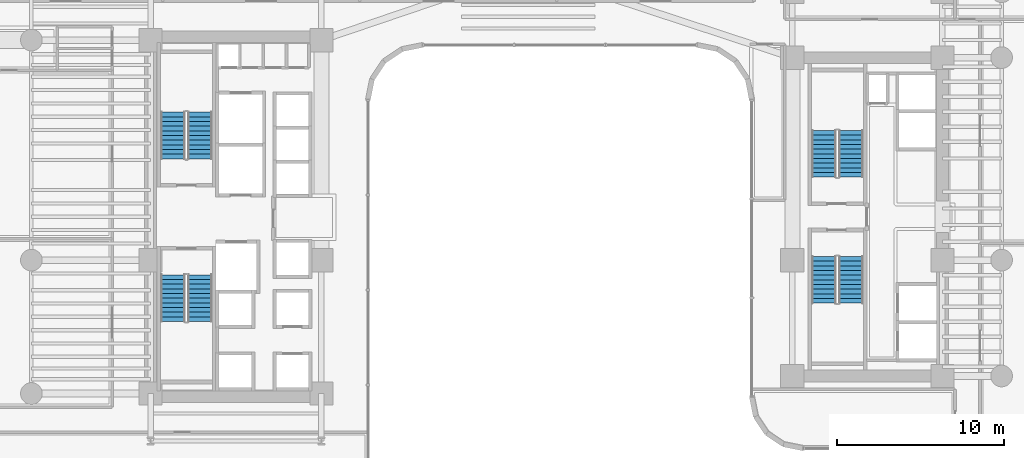
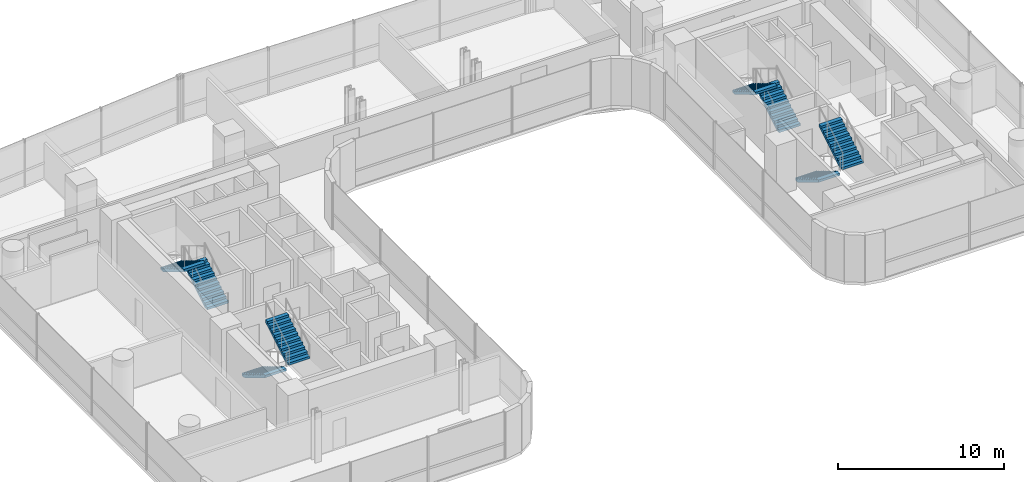
# One storey, part 36 of 40: 8 stair flights, 4 elements without a shape of their own.
"""IFC4 building model written with IfcOpenShell, lengths in metres."""

import ifcopenshell
import ifcopenshell.guid

model = None  # the IFC model being written
_history = None  # IfcOwnerHistory: only IFC2X3 demands one
_inside = {}  # id of a spatial element -> (the spatial element, [elements in it])
_under = {}  # id of a project, library or spatial element -> (it, [spatial elements below it])
_declared = {}  # id of a project -> (the project, [libraries it declares])
_typed = {}  # id of a type object -> (the type object, [elements of that type])
_made_of = {}  # id of a material, layer set ... -> (it, [elements and type objects made of it])


def new_model(schema):
    """Start an empty IFC model of exactly this schema.

    Asked for "IFC4X3", IfcOpenShell would pick the latest addendum, in which some entities
    have other attributes; the version numbers below select the first issue.
    IFC2X3 requires an IfcOwnerHistory on every rooted entity: one is made here for all.
    """
    global model, _history
    if schema == "IFC4X3":
        model = ifcopenshell.file(schema_version=(4, 3, 0, 0))
    else:
        model = ifcopenshell.file(schema=schema)
    _inside.clear()
    _under.clear()
    _declared.clear()
    _typed.clear()
    _made_of.clear()
    _history = None
    if model.schema == "IFC2X3":
        org = make("IfcOrganization", Name="unknown")
        user = make(
            "IfcPersonAndOrganization",
            ThePerson=make("IfcPerson", FamilyName="unknown"),
            TheOrganization=org,
        )
        app = make(
            "IfcApplication",
            ApplicationDeveloper=org,
            Version="unknown",
            ApplicationFullName="unknown",
            ApplicationIdentifier="unknown",
        )
        _history = make(
            "IfcOwnerHistory",
            OwningUser=user,
            OwningApplication=app,
            ChangeAction="ADDED",
            CreationDate=0,
        )
    return model


def make(cls, **values):
    """One entity of the class cls with the attributes given. An attribute that is None is left unset."""
    return model.create_entity(
        cls, **{name: value for name, value in values.items() if value is not None}
    )


def rooted(cls, **values):
    """An entity with a GlobalId (a new one), such as an element, a storey or a relation."""
    return make(cls, GlobalId=ifcopenshell.guid.new(), OwnerHistory=_history, **values)


def si_unit(unit_type, name, prefix=None):
    """IfcSIUnit, for example si_unit("LENGTHUNIT", "METRE", prefix="MILLI")."""
    return make("IfcSIUnit", UnitType=unit_type, Prefix=prefix, Name=name)


def assignment(units):
    """IfcUnitAssignment: the units of a project."""
    return None if units is None else make("IfcUnitAssignment", Units=units)


def point(xyz):
    """IfcCartesianPoint."""
    return None if xyz is None else make("IfcCartesianPoint", Coordinates=xyz)


def direction(xyz):
    """IfcDirection."""
    return None if xyz is None else make("IfcDirection", DirectionRatios=xyz)


def frame(location, z_axis=None, x_axis=None):
    """IfcAxis2Placement3D, a coordinate frame: its origin and axes. An axis left out is left unset."""
    return make(
        "IfcAxis2Placement3D",
        Location=point(location),
        Axis=direction(z_axis),
        RefDirection=direction(x_axis),
    )


def origin():
    """The frame at (0, 0, 0) with its axes left unset."""
    return frame((0.0, 0.0, 0.0))


def place(relative_to, where):
    """IfcLocalPlacement: puts the frame where relative to a parent placement (None: the world)."""
    return make(
        "IfcLocalPlacement", PlacementRelTo=relative_to, RelativePlacement=where
    )


def context(
    kind, dimensions, precision=None, world=None, true_north=None, identifier=None
):
    """IfcGeometricRepresentationContext, for example the 3D "Model" context."""
    return make(
        "IfcGeometricRepresentationContext",
        ContextIdentifier=identifier,
        ContextType=kind,
        CoordinateSpaceDimension=dimensions,
        Precision=precision,
        WorldCoordinateSystem=world,
        TrueNorth=true_north,
    )


def subcontext(parent, identifier, kind, view, scale=None):
    """IfcGeometricRepresentationSubContext, for example "Body" below "Model"."""
    return make(
        "IfcGeometricRepresentationSubContext",
        ContextIdentifier=identifier,
        ContextType=kind,
        ParentContext=parent,
        TargetScale=scale,
        TargetView=view,
    )


def project(units=None, contexts=None):
    """IfcProject with its units and contexts."""
    return rooted(
        "IfcProject",
        Name="project",
        RepresentationContexts=contexts,
        UnitsInContext=assignment(units),
    )


def spatial(cls, under=None, at=None, **own):
    """A site, building, storey or space (cls), placed at a placement, below another one or the project."""
    s = rooted(cls, ObjectPlacement=at, **own)
    if under is not None:
        _under.setdefault(under.id(), (under, []))[1].append(s)
    return s


def polyline(points):
    """IfcPolyline through the points."""
    return make("IfcPolyline", Points=[point(p) for p in points])


def outline(outer, holes=None, kind="AREA"):
    """IfcArbitraryClosedProfileDef: a profile drawn as a closed curve; with holes, ...WithVoids."""
    if holes is None:
        return make("IfcArbitraryClosedProfileDef", ProfileType=kind, OuterCurve=outer)
    return make(
        "IfcArbitraryProfileDefWithVoids",
        ProfileType=kind,
        OuterCurve=outer,
        InnerCurves=holes,
    )


def extrude(swept, where, along, depth):
    """IfcExtrudedAreaSolid: the profile swept, set in the frame where, extruded along a direction by depth."""
    return make(
        "IfcExtrudedAreaSolid",
        SweptArea=swept,
        Position=where,
        ExtrudedDirection=direction(along),
        Depth=depth,
    )


def shape(context_of_items, identifier, shape_type, items):
    """IfcShapeRepresentation: the items that make up one representation, for example the "Body"."""
    return make(
        "IfcShapeRepresentation",
        ContextOfItems=context_of_items,
        RepresentationIdentifier=identifier,
        RepresentationType=shape_type,
        Items=items,
    )


def material(Name=None, Category=None):
    """IfcMaterial."""
    return make("IfcMaterial", Name=Name, Category=Category)


def made_of(thing, what):
    """Note that an element or type object is made of a material, layer set ...; save() writes the relation."""
    if what is not None:
        _made_of.setdefault(what.id(), (what, []))[1].append(thing)
    return thing


def type_object(cls, material=None, **own):
    """A type object (cls), such as IfcWallType, which elements share."""
    return made_of(rooted(cls, **own), material)


def element(
    cls,
    number,
    at=None,
    inside=None,
    cuts=None,
    type_object=None,
    material=None,
    context=None,
    identifier="Body",
    shape_type=None,
    held_by="IfcProductDefinitionShape",
    body=None,
    shapes=None,
    **own,
):
    """One element of the class cls, such as IfcWall. Its Tag is "e" and its number.

    at: its placement. inside: the storey or other place that contains it. cuts: it is an
    opening in that element (IfcRelVoidsElement). A single representation is given by context,
    identifier, shape_type and body (its items); several are given by shapes. held_by: the class
    of the entity that holds the representations. save() writes the other relations.
    """
    e = rooted(cls, Tag="e%d" % number, ObjectPlacement=at, **own)
    if body is not None:
        shapes = [shape(context, identifier, shape_type, body)]
    if shapes is not None:
        e.Representation = make(held_by, Representations=shapes)
    if inside is not None:
        _inside.setdefault(inside.id(), (inside, []))[1].append(e)
    if cuts is not None:
        rooted(
            "IfcRelVoidsElement", RelatingBuildingElement=cuts, RelatedOpeningElement=e
        )
    if type_object is not None:
        _typed.setdefault(type_object.id(), (type_object, []))[1].append(e)
    return made_of(e, material)


def aggregate(whole, parts):
    """IfcRelAggregates: a whole, such as a stair, and the parts it consists of."""
    return rooted("IfcRelAggregates", RelatingObject=whole, RelatedObjects=parts)


def save(model, path):
    """Write the relations noted so far, then the file.

    IfcRelAggregates (storeys below a building ...), IfcRelContainedInSpatialStructure (elements
    in a storey), IfcRelDefinesByType, IfcRelAssociatesMaterial and IfcRelDeclares: one each for
    every whole, place, type object, material and project.
    """
    for whole, parts in _under.values():
        aggregate(whole, parts)
    for where, things in _inside.values():
        rooted(
            "IfcRelContainedInSpatialStructure",
            RelatedElements=things,
            RelatingStructure=where,
        )
    for kind, things in _typed.values():
        rooted("IfcRelDefinesByType", RelatedObjects=things, RelatingType=kind)
    for what, things in _made_of.values():
        rooted("IfcRelAssociatesMaterial", RelatedObjects=things, RelatingMaterial=what)
    for by, libraries in _declared.values():
        rooted("IfcRelDeclares", RelatingContext=by, RelatedDefinitions=libraries)
    model.write(path)


model = new_model("IFC4")

# Units and contexts
model_context = context("Model", 3, precision=1e-05, world=origin(), true_north=direction((0.0, 1.0)))
body_context = subcontext(model_context, "Body", "Model", "MODEL_VIEW")
ifc_project = project(units=[si_unit("LENGTHUNIT", "METRE"), si_unit("AREAUNIT", "SQUARE_METRE"), si_unit("VOLUMEUNIT", "CUBIC_METRE"), si_unit("PLANEANGLEUNIT", "RADIAN"), si_unit("MASSUNIT", "GRAM", prefix="KILO")], contexts=[model_context])

# Site, building, storey
site_placement = place(None, origin())
site = spatial("IfcSite", under=ifc_project, at=site_placement, CompositionType="ELEMENT")
building_placement = place(site_placement, origin())
building = spatial("IfcBuilding", under=site, at=building_placement, Name="Valdorenza Pilgrim Sanctuary Tower", CompositionType="ELEMENT")
storey_placement = place(building_placement, frame((0.0, 0.0, 48.199951171875)))
storey = spatial("IfcBuildingStorey", under=building, at=storey_placement, Name="L11", CompositionType="ELEMENT", Elevation=48.199951171875)

# Stair, stair flights
ifc_material = material(Name="Concrete C40/50", Category="concrete")
stair_type = type_object("IfcStairType", Name="STR-DOG-CORE", PredefinedType="HALF_TURN_STAIR", material=ifc_material)
stair_1_placement = place(storey_placement, origin())
stair_1 = element("IfcStair", 1, at=stair_1_placement, inside=storey, type_object=stair_type, Name="L11 ST-A1", PredefinedType="HALF_TURN_STAIR")
stair_flight_type = type_object("IfcStairFlightType", Name="STF-RC-1400", PredefinedType="STRAIGHT", material=ifc_material)
stair_flight_1_placement = place(storey_placement, frame((-19.679931640625, 3.47998046875, 0.0), z_axis=(0.0, 0.0, 1.0), x_axis=(0.0, 1.0, 0.0)))
stair_flight_1 = element("IfcStairFlight", 2, at=stair_flight_1_placement, type_object=stair_flight_type, Name="ST-A1 flight 1", NumberOfRisers=11, NumberOfTreads=10, PredefinedType="STRAIGHT", RiserHeight=0.168181818, TreadLength=0.28, context=body_context, shape_type="SweptSolid", body=[
    extrude(outline(polyline([(0.0, 0.0), (0.0, 0.168212890625), (0.280029296875, 0.168212890625), (0.280029296875, 0.33642578125), (0.56005859375, 0.33642578125), (0.56005859375, 0.504638671875), (0.840087890625, 0.504638671875), (0.840087890625, 0.672607421875), (1.1201171875, 0.672607421875), (1.1201171875, 0.8408203125), (1.39990234375, 0.8408203125), (1.39990234375, 1.009033203125), (1.679931640625, 1.009033203125), (1.679931640625, 1.17724609375), (1.9599609375, 1.17724609375), (1.9599609375, 1.345458984375), (2.239990234375, 1.345458984375), (2.239990234375, 1.513671875), (2.52001953125, 1.513671875), (2.52001953125, 1.681884765625), (2.800048828125, 1.681884765625), (2.800048828125, 1.85009765625), (2.800048828125, 1.5068359375), (0.291015625, 0.0), (0.0, 0.0)])), frame((0.0, 0.739990234375, 0.0), z_axis=(0.0, -1.0, 0.0), x_axis=(1.0, 0.0, 0.0)), (0.0, 0.0, 1.0), 1.47998046875),
])
stair_flight_2_placement = place(storey_placement, frame((-21.31005859375, 6.280029296875, 1.85009765625), z_axis=(0.0, 0.0, 1.0), x_axis=(0.0, -1.0, 0.0)))
stair_flight_2 = element("IfcStairFlight", 3, at=stair_flight_2_placement, type_object=stair_flight_type, Name="ST-A1 flight 2", NumberOfRisers=11, NumberOfTreads=10, PredefinedType="STRAIGHT", RiserHeight=0.168181818, TreadLength=0.28, context=body_context, shape_type="SweptSolid", body=[
    extrude(outline(polyline([(0.0, 0.0), (0.0, 0.168212890625), (0.280029296875, 0.168212890625), (0.280029296875, 0.33642578125), (0.56005859375, 0.33642578125), (0.56005859375, 0.504638671875), (0.840087890625, 0.504638671875), (0.840087890625, 0.672607421875), (1.1201171875, 0.672607421875), (1.1201171875, 0.8408203125), (1.39990234375, 0.8408203125), (1.39990234375, 1.009033203125), (1.679931640625, 1.009033203125), (1.679931640625, 1.17724609375), (1.9599609375, 1.17724609375), (1.9599609375, 1.345458984375), (2.239990234375, 1.345458984375), (2.239990234375, 1.513671875), (2.52001953125, 1.513671875), (2.52001953125, 1.681884765625), (2.800048828125, 1.681884765625), (2.800048828125, 1.85009765625), (2.800048828125, 1.5068359375), (0.291015625, 0.0), (0.0, 0.0)])), frame((0.0, 0.739990234375, 0.0), z_axis=(0.0, -1.0, 0.0), x_axis=(1.0, 0.0, 0.0)), (0.0, 0.0, 1.0), 1.47998046875),
])
aggregate(stair_1, [stair_flight_1, stair_flight_2])

stair_2_placement = place(storey_placement, origin())
stair_2 = element("IfcStair", 4, at=stair_2_placement, inside=storey, type_object=stair_type, Name="L11 ST-A2", PredefinedType="HALF_TURN_STAIR")
stair_flight_3_placement = place(storey_placement, frame((-21.31005859375, -3.47998046875, 0.0), z_axis=(0.0, 0.0, 1.0), x_axis=(0.0, -1.0, 0.0)))
stair_flight_3 = element("IfcStairFlight", 5, at=stair_flight_3_placement, type_object=stair_flight_type, Name="ST-A2 flight 1", NumberOfRisers=11, NumberOfTreads=10, PredefinedType="STRAIGHT", RiserHeight=0.168181818, TreadLength=0.28, context=body_context, shape_type="SweptSolid", body=[
    extrude(outline(polyline([(0.0, 0.0), (0.0, 0.168212890625), (0.280029296875, 0.168212890625), (0.280029296875, 0.33642578125), (0.56005859375, 0.33642578125), (0.56005859375, 0.504638671875), (0.840087890625, 0.504638671875), (0.840087890625, 0.672607421875), (1.1201171875, 0.672607421875), (1.1201171875, 0.8408203125), (1.39990234375, 0.8408203125), (1.39990234375, 1.009033203125), (1.679931640625, 1.009033203125), (1.679931640625, 1.17724609375), (1.9599609375, 1.17724609375), (1.9599609375, 1.345458984375), (2.239990234375, 1.345458984375), (2.239990234375, 1.513671875), (2.52001953125, 1.513671875), (2.52001953125, 1.681884765625), (2.800048828125, 1.681884765625), (2.800048828125, 1.85009765625), (2.800048828125, 1.5068359375), (0.291015625, 0.0), (0.0, 0.0)])), frame((0.0, 0.739990234375, 0.0), z_axis=(0.0, -1.0, 0.0), x_axis=(1.0, 0.0, 0.0)), (0.0, 0.0, 1.0), 1.47998046875),
])
stair_flight_4_placement = place(storey_placement, frame((-19.679931640625, -6.280029296875, 1.85009765625), z_axis=(0.0, 0.0, 1.0), x_axis=(0.0, 1.0, 0.0)))
stair_flight_4 = element("IfcStairFlight", 6, at=stair_flight_4_placement, type_object=stair_flight_type, Name="ST-A2 flight 2", NumberOfRisers=11, NumberOfTreads=10, PredefinedType="STRAIGHT", RiserHeight=0.168181818, TreadLength=0.28, context=body_context, shape_type="SweptSolid", body=[
    extrude(outline(polyline([(0.0, 0.0), (0.0, 0.168212890625), (0.280029296875, 0.168212890625), (0.280029296875, 0.33642578125), (0.56005859375, 0.33642578125), (0.56005859375, 0.504638671875), (0.840087890625, 0.504638671875), (0.840087890625, 0.672607421875), (1.1201171875, 0.672607421875), (1.1201171875, 0.8408203125), (1.39990234375, 0.8408203125), (1.39990234375, 1.009033203125), (1.679931640625, 1.009033203125), (1.679931640625, 1.17724609375), (1.9599609375, 1.17724609375), (1.9599609375, 1.345458984375), (2.239990234375, 1.345458984375), (2.239990234375, 1.513671875), (2.52001953125, 1.513671875), (2.52001953125, 1.681884765625), (2.800048828125, 1.681884765625), (2.800048828125, 1.85009765625), (2.800048828125, 1.5068359375), (0.291015625, 0.0), (0.0, 0.0)])), frame((0.0, 0.739990234375, 0.0), z_axis=(0.0, -1.0, 0.0), x_axis=(1.0, 0.0, 0.0)), (0.0, 0.0, 1.0), 1.47998046875),
])
aggregate(stair_2, [stair_flight_3, stair_flight_4])

stair_3_placement = place(storey_placement, origin())
stair_3 = element("IfcStair", 7, at=stair_3_placement, inside=storey, type_object=stair_type, Name="L11 ST-B1", PredefinedType="HALF_TURN_STAIR")
stair_flight_5_placement = place(storey_placement, frame((19.3701171875, 2.3798828125, 0.0), z_axis=(0.0, 0.0, 1.0), x_axis=(0.0, 1.0, 0.0)))
stair_flight_5 = element("IfcStairFlight", 8, at=stair_flight_5_placement, type_object=stair_flight_type, Name="ST-B1 flight 1", NumberOfRisers=11, NumberOfTreads=10, PredefinedType="STRAIGHT", RiserHeight=0.168181818, TreadLength=0.28, context=body_context, shape_type="SweptSolid", body=[
    extrude(outline(polyline([(0.0, 0.0), (0.0, 0.168212890625), (0.280029296875, 0.168212890625), (0.280029296875, 0.33642578125), (0.56005859375, 0.33642578125), (0.56005859375, 0.504638671875), (0.840087890625, 0.504638671875), (0.840087890625, 0.672607421875), (1.1201171875, 0.672607421875), (1.1201171875, 0.8408203125), (1.39990234375, 0.8408203125), (1.39990234375, 1.009033203125), (1.679931640625, 1.009033203125), (1.679931640625, 1.17724609375), (1.9599609375, 1.17724609375), (1.9599609375, 1.345458984375), (2.239990234375, 1.345458984375), (2.239990234375, 1.513671875), (2.52001953125, 1.513671875), (2.52001953125, 1.681884765625), (2.800048828125, 1.681884765625), (2.800048828125, 1.85009765625), (2.800048828125, 1.5068359375), (0.291015625, 0.0), (0.0, 0.0)])), frame((0.0, 0.739990234375, 0.0), z_axis=(0.0, -1.0, 0.0), x_axis=(1.0, 0.0, 0.0)), (0.0, 0.0, 1.0), 1.47998046875),
])
stair_flight_6_placement = place(storey_placement, frame((17.739990234375, 5.179931640625, 1.85009765625), z_axis=(0.0, 0.0, 1.0), x_axis=(0.0, -1.0, 0.0)))
stair_flight_6 = element("IfcStairFlight", 9, at=stair_flight_6_placement, type_object=stair_flight_type, Name="ST-B1 flight 2", NumberOfRisers=11, NumberOfTreads=10, PredefinedType="STRAIGHT", RiserHeight=0.168181818, TreadLength=0.28, context=body_context, shape_type="SweptSolid", body=[
    extrude(outline(polyline([(0.0, 0.0), (0.0, 0.168212890625), (0.280029296875, 0.168212890625), (0.280029296875, 0.33642578125), (0.56005859375, 0.33642578125), (0.56005859375, 0.504638671875), (0.840087890625, 0.504638671875), (0.840087890625, 0.672607421875), (1.1201171875, 0.672607421875), (1.1201171875, 0.8408203125), (1.39990234375, 0.8408203125), (1.39990234375, 1.009033203125), (1.679931640625, 1.009033203125), (1.679931640625, 1.17724609375), (1.9599609375, 1.17724609375), (1.9599609375, 1.345458984375), (2.239990234375, 1.345458984375), (2.239990234375, 1.513671875), (2.52001953125, 1.513671875), (2.52001953125, 1.681884765625), (2.800048828125, 1.681884765625), (2.800048828125, 1.85009765625), (2.800048828125, 1.5068359375), (0.291015625, 0.0), (0.0, 0.0)])), frame((0.0, 0.739990234375, 0.0), z_axis=(0.0, -1.0, 0.0), x_axis=(1.0, 0.0, 0.0)), (0.0, 0.0, 1.0), 1.47998046875),
])
aggregate(stair_3, [stair_flight_5, stair_flight_6])

stair_4_placement = place(storey_placement, origin())
stair_4 = element("IfcStair", 10, at=stair_4_placement, inside=storey, type_object=stair_type, Name="L11 ST-B2", PredefinedType="HALF_TURN_STAIR")
stair_flight_7_placement = place(storey_placement, frame((17.739990234375, -2.3798828125, 0.0), z_axis=(0.0, 0.0, 1.0), x_axis=(0.0, -1.0, 0.0)))
stair_flight_7 = element("IfcStairFlight", 11, at=stair_flight_7_placement, type_object=stair_flight_type, Name="ST-B2 flight 1", NumberOfRisers=11, NumberOfTreads=10, PredefinedType="STRAIGHT", RiserHeight=0.168181818, TreadLength=0.28, context=body_context, shape_type="SweptSolid", body=[
    extrude(outline(polyline([(0.0, 0.0), (0.0, 0.168212890625), (0.280029296875, 0.168212890625), (0.280029296875, 0.33642578125), (0.56005859375, 0.33642578125), (0.56005859375, 0.504638671875), (0.840087890625, 0.504638671875), (0.840087890625, 0.672607421875), (1.1201171875, 0.672607421875), (1.1201171875, 0.8408203125), (1.39990234375, 0.8408203125), (1.39990234375, 1.009033203125), (1.679931640625, 1.009033203125), (1.679931640625, 1.17724609375), (1.9599609375, 1.17724609375), (1.9599609375, 1.345458984375), (2.239990234375, 1.345458984375), (2.239990234375, 1.513671875), (2.52001953125, 1.513671875), (2.52001953125, 1.681884765625), (2.800048828125, 1.681884765625), (2.800048828125, 1.85009765625), (2.800048828125, 1.5068359375), (0.291015625, 0.0), (0.0, 0.0)])), frame((0.0, 0.739990234375, 0.0), z_axis=(0.0, -1.0, 0.0), x_axis=(1.0, 0.0, 0.0)), (0.0, 0.0, 1.0), 1.47998046875),
])
stair_flight_8_placement = place(storey_placement, frame((19.3701171875, -5.179931640625, 1.85009765625), z_axis=(0.0, 0.0, 1.0), x_axis=(0.0, 1.0, 0.0)))
stair_flight_8 = element("IfcStairFlight", 12, at=stair_flight_8_placement, type_object=stair_flight_type, Name="ST-B2 flight 2", NumberOfRisers=11, NumberOfTreads=10, PredefinedType="STRAIGHT", RiserHeight=0.168181818, TreadLength=0.28, context=body_context, shape_type="SweptSolid", body=[
    extrude(outline(polyline([(0.0, 0.0), (0.0, 0.168212890625), (0.280029296875, 0.168212890625), (0.280029296875, 0.33642578125), (0.56005859375, 0.33642578125), (0.56005859375, 0.504638671875), (0.840087890625, 0.504638671875), (0.840087890625, 0.672607421875), (1.1201171875, 0.672607421875), (1.1201171875, 0.8408203125), (1.39990234375, 0.8408203125), (1.39990234375, 1.009033203125), (1.679931640625, 1.009033203125), (1.679931640625, 1.17724609375), (1.9599609375, 1.17724609375), (1.9599609375, 1.345458984375), (2.239990234375, 1.345458984375), (2.239990234375, 1.513671875), (2.52001953125, 1.513671875), (2.52001953125, 1.681884765625), (2.800048828125, 1.681884765625), (2.800048828125, 1.85009765625), (2.800048828125, 1.5068359375), (0.291015625, 0.0), (0.0, 0.0)])), frame((0.0, 0.739990234375, 0.0), z_axis=(0.0, -1.0, 0.0), x_axis=(1.0, 0.0, 0.0)), (0.0, 0.0, 1.0), 1.47998046875),
])
aggregate(stair_4, [stair_flight_7, stair_flight_8])

save(model, "model.ifc")
